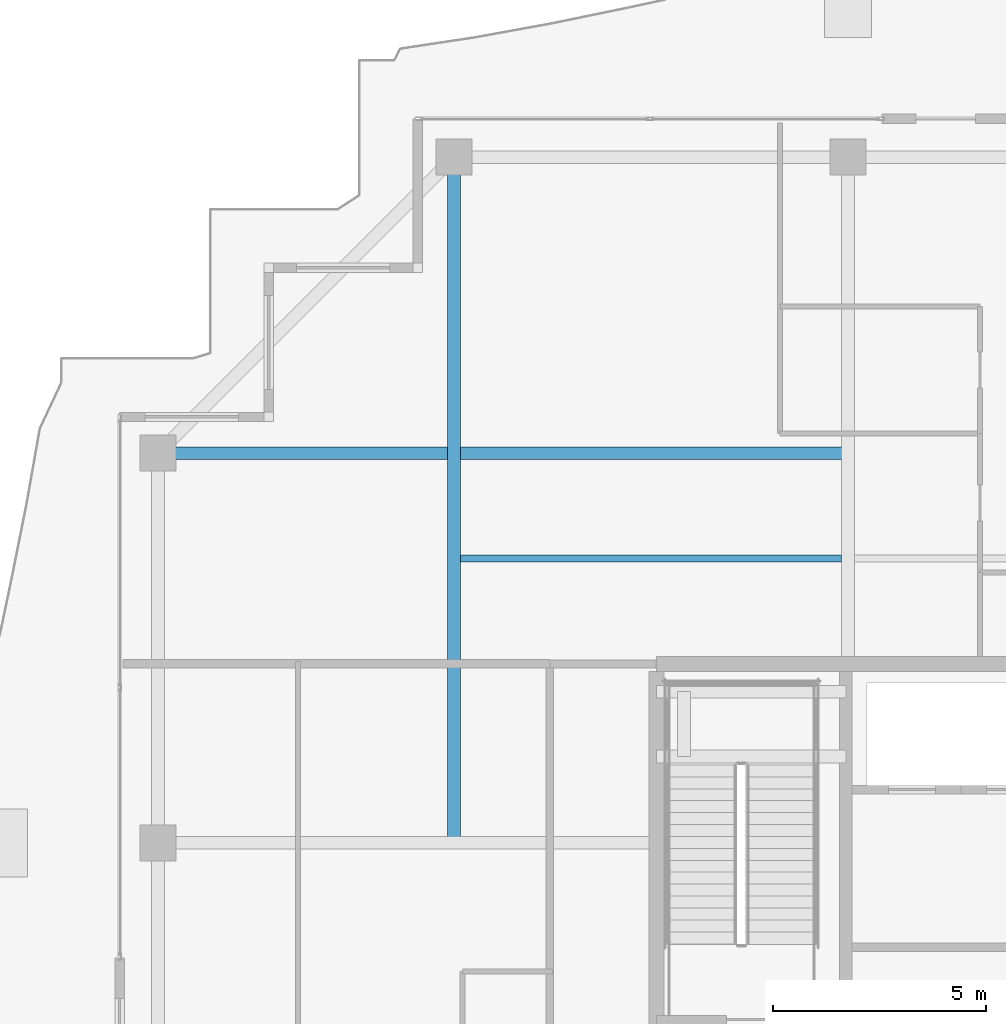
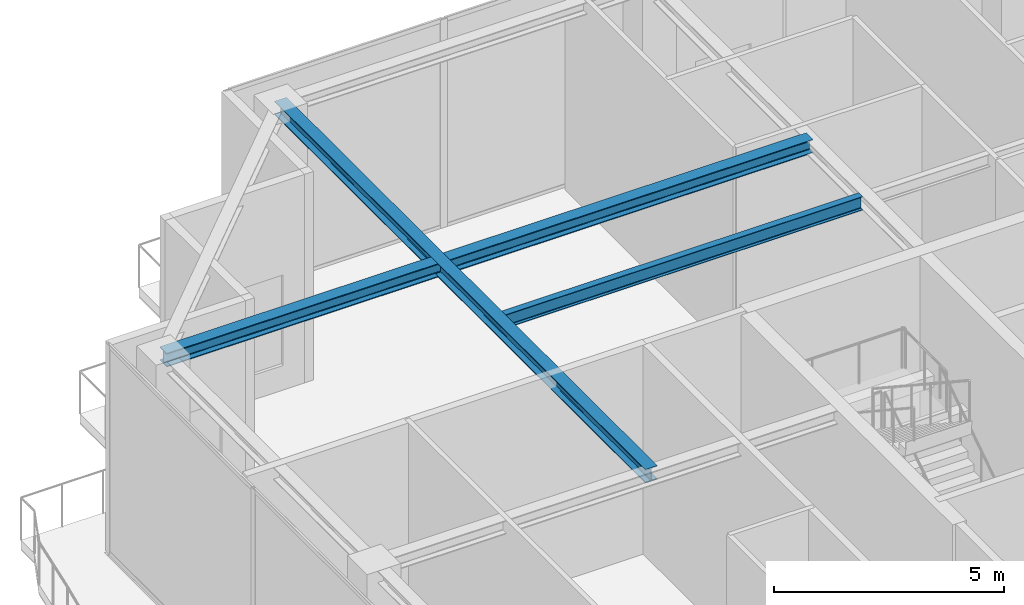
# One storey, part 18 of 38: 3 beams.
"""IFC4 building model written with IfcOpenShell, lengths in metres."""

from ifc_helpers import new_model, si_unit, direction, frame, origin, origin_2d, place, context, subcontext, project, spatial, i_section, extrude, source, transform, mapped, material, material_profile, profile_set, type_object, element, save


model = new_model("IFC4")

# Units and contexts
model_context = context("Model", 3, precision=1e-05, world=origin(), true_north=direction((0.0, 1.0)))
body_context = subcontext(model_context, "Body", "Model", "MODEL_VIEW")
ifc_project = project(units=[si_unit("LENGTHUNIT", "METRE"), si_unit("AREAUNIT", "SQUARE_METRE"), si_unit("VOLUMEUNIT", "CUBIC_METRE"), si_unit("PLANEANGLEUNIT", "RADIAN"), si_unit("MASSUNIT", "GRAM", prefix="KILO")], contexts=[model_context])

# Site, building, storey
site_placement = place(None, origin())
site = spatial("IfcSite", under=ifc_project, at=site_placement, CompositionType="ELEMENT")
building_placement = place(site_placement, origin())
building = spatial("IfcBuilding", under=site, at=building_placement, Name="Serunith Strait Residences", CompositionType="ELEMENT")
storey_placement = place(building_placement, frame((0.0, 0.0, 353.85009765625)))
storey = spatial("IfcBuildingStorey", under=building, at=storey_placement, Name="L87", CompositionType="ELEMENT", Elevation=353.85009765625)

# Beams
ifc_material = material(Name="Steel S355J2", Category="steel")
ifc_material_profile_1 = material_profile(ifc_material, i_section(OverallWidth=0.300048828125, OverallDepth=0.360107421875, WebThickness=0.012451171875, FlangeThickness=0.0224609375, FilletRadius=0.027099609375, at=origin_2d()), Name="HEB 360")
ifc_profile_set_1 = profile_set([ifc_material_profile_1], Name="Steel S355J2")
beam_type_1 = type_object("IfcBeamType", Name="BM-HEB360", PredefinedType="BEAM", material=ifc_profile_set_1)
shared_shape_1 = source(origin(), body_context, "Body", "SweptSolid", [
    extrude(i_section(OverallWidth=0.300048828125, OverallDepth=0.360107421875, WebThickness=0.012451171875, FlangeThickness=0.0224609375, FilletRadius=0.027099609375, at=origin_2d()), origin(), (0.0, 0.0, 1.0), 16.10009765625),
])
beam_1_placement = place(storey_placement, frame((18.64990234375, 29.39990234375, 5.35693359375), z_axis=(0.0, 1.0, 0.0), x_axis=(-1.0, 0.0, 0.0)))
element("IfcBeam", 1, at=beam_1_placement, inside=storey, type_object=beam_type_1, Name="L87 Orthogonal Corner Girder TC-N1", PredefinedType="BEAM", context=body_context, shape_type="MappedRepresentation", body=[
    mapped(shared_shape_1, transform((0.0, 0.0, 0.0), scale=1.0)),
])
shared_shape_2 = source(origin(), body_context, "Body", "SweptSolid", [
    extrude(i_section(OverallWidth=0.300048828125, OverallDepth=0.360107421875, WebThickness=0.012451171875, FlangeThickness=0.0224609375, FilletRadius=0.027099609375, at=origin_2d()), origin(), (0.0, 0.0, 1.0), 16.199951171875),
])
beam_2_placement = place(storey_placement, frame((27.89990234375, 38.550048828125, 5.35693359375), z_axis=(-1.0, 0.0, 0.0), x_axis=(0.0, -1.0, 0.0)))
element("IfcBeam", 2, at=beam_2_placement, inside=storey, type_object=beam_type_1, Name="L87 Orthogonal Corner Girder TC-W4", PredefinedType="BEAM", context=body_context, shape_type="MappedRepresentation", body=[
    mapped(shared_shape_2, transform((0.0, 0.0, 0.0), scale=1.0)),
])
ifc_material_profile_2 = material_profile(ifc_material, i_section(OverallWidth=0.169921875, OverallDepth=0.360107421875, WebThickness=0.008056640625, FlangeThickness=0.0126953125, FilletRadius=0.01806640625, at=origin_2d()), Name="IPE 360")
ifc_profile_set_2 = profile_set([ifc_material_profile_2], Name="Steel S355J2")
beam_type_2 = type_object("IfcBeamType", Name="BM-IPE360", PredefinedType="JOIST", material=ifc_profile_set_2)
shared_shape_3 = source(origin(), body_context, "Body", "SweptSolid", [
    extrude(i_section(OverallWidth=0.169921875, OverallDepth=0.360107421875, WebThickness=0.008056640625, FlangeThickness=0.0126953125, FilletRadius=0.01806640625, at=origin_2d()), origin(), (0.0, 0.0, 1.0), 8.949951171875),
])
beam_3_placement = place(storey_placement, frame((18.800048828125, 36.074951171875, 5.35693359375), z_axis=(1.0, 0.0, 0.0), x_axis=(0.0, 1.0, 0.0)))
element("IfcBeam", 3, at=beam_3_placement, inside=storey, type_object=beam_type_2, Name="L87 Composite Floor Joist 04", PredefinedType="JOIST", context=body_context, shape_type="MappedRepresentation", body=[
    mapped(shared_shape_3, transform((0.0, 0.0, 0.0), scale=1.0)),
])

save(model, "model.ifc")
